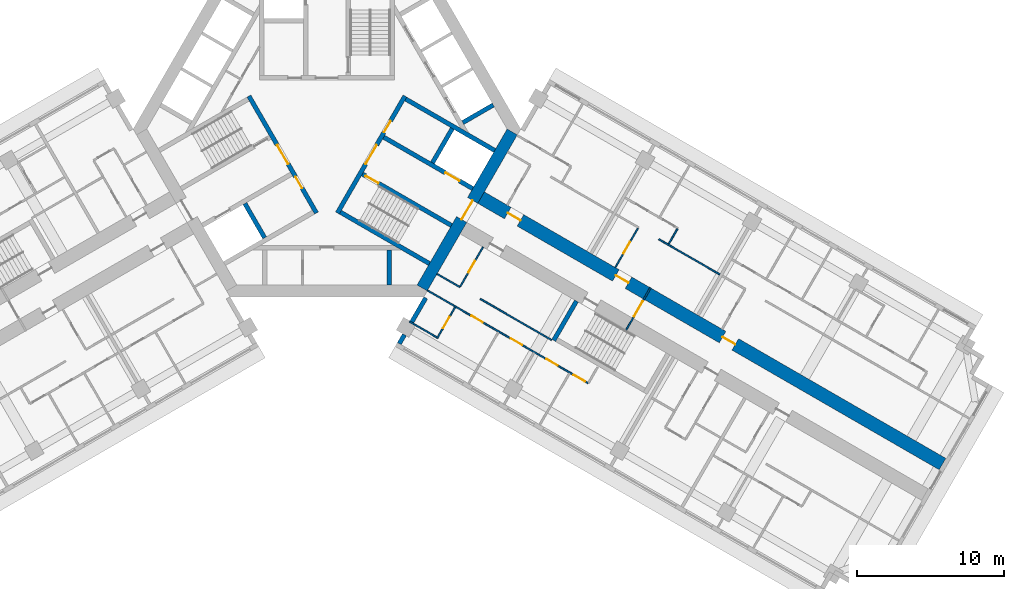
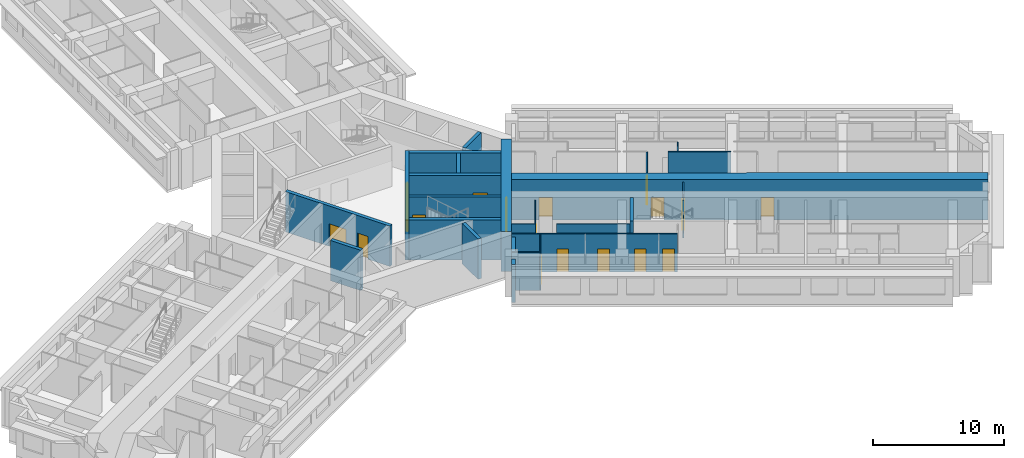
# One storey, part 6 of 13: 25 walls, 18 doors, 18 openings.
"""IFC4 building model written with IfcOpenShell, lengths in metres."""

from ifc_helpers import new_model, si_unit, direction, frame, frame_2d, origin, place, context, subcontext, project, spatial, rectangle, extrude, material, layer, layer_set, type_object, element, fill, save


model = new_model("IFC4")

# Units and contexts
model_context = context("Model", 3, precision=1e-05, world=origin(), true_north=direction((0.0, 1.0)))
body_context = subcontext(model_context, "Body", "Model", "MODEL_VIEW")
ifc_project = project(units=[si_unit("LENGTHUNIT", "METRE"), si_unit("AREAUNIT", "SQUARE_METRE"), si_unit("VOLUMEUNIT", "CUBIC_METRE"), si_unit("PLANEANGLEUNIT", "RADIAN"), si_unit("MASSUNIT", "GRAM", prefix="KILO")], contexts=[model_context])

# Site, building, storey
site_placement = place(None, origin())
site = spatial("IfcSite", under=ifc_project, at=site_placement, CompositionType="ELEMENT")
building_placement = place(site_placement, origin())
building = spatial("IfcBuilding", under=site, at=building_placement, Name="Impinga Residences", CompositionType="ELEMENT")
storey_placement = place(building_placement, frame((0.0, 0.0, 151.0)))
storey = spatial("IfcBuildingStorey", under=building, at=storey_placement, Name="L37", CompositionType="ELEMENT", Elevation=151.0)

# Wall, openings, doors
ifc_material_1 = material(Name="Concrete C60/75", Category="concrete")
ifc_layer_1 = layer(ifc_material_1, 0.89990234375)
ifc_layer_set_1 = layer_set([ifc_layer_1], Name="Concrete C60/75")
wall_type_1 = type_object("IfcWallType", Name="BW2 corridor buttress wall, L24 to L44 900", PredefinedType="SHEAR", material=ifc_layer_set_1)
wall_1_placement = place(storey_placement, frame((10.153564453125, -4.4765625, 0.0), z_axis=(0.0, 0.0, 1.0), x_axis=(0.866027614434, -0.499996171023, 0.0)))
wall_1 = element("IfcWall", 1, at=wall_1_placement, inside=storey, type_object=wall_type_1, Name="Corridor wall BW2 EC L37", PredefinedType="SHEAR", context=body_context, shape_type="SweptSolid", body=[
    extrude(rectangle(XDim=36.699951171875, YDim=0.89990234375, at=frame_2d((18.35009765625, 0.0))), origin(), (0.0, 0.0, 1.0), 3.75),
])
opening_1_placement = place(wall_1_placement, frame((2.5, 0.0, 0.0)))
opening_1 = element("IfcOpeningElement", 2, at=opening_1_placement, cuts=wall_1, Name="Opening D1", PredefinedType="OPENING", context=body_context, shape_type="SweptSolid", body=[
    extrude(rectangle(XDim=1.0, YDim=2.10009765625, at=frame_2d((0.5, 1.050048828125))), frame((0.0, 0.4599609375, 0.0), z_axis=(0.0, -1.0, 0.0), x_axis=(1.0, 0.0, 0.0)), (0.0, 0.0, 1.0), 0.919921875),
])
opening_2_placement = place(wall_1_placement, frame((11.0, 0.0, 0.0)))
opening_2 = element("IfcOpeningElement", 3, at=opening_2_placement, cuts=wall_1, Name="Opening D1", PredefinedType="OPENING", context=body_context, shape_type="SweptSolid", body=[
    extrude(rectangle(XDim=1.0, YDim=2.10009765625, at=frame_2d((0.5, 1.050048828125))), frame((0.0, 0.4599609375, 0.0), z_axis=(0.0, -1.0, 0.0), x_axis=(1.0, 0.0, 0.0)), (0.0, 0.0, 1.0), 0.919921875),
])
opening_3_placement = place(wall_1_placement, frame((19.39990234375, 0.0, 0.0)))
opening_3 = element("IfcOpeningElement", 4, at=opening_3_placement, cuts=wall_1, Name="Opening D1", PredefinedType="OPENING", context=body_context, shape_type="SweptSolid", body=[
    extrude(rectangle(XDim=1.0, YDim=2.10009765625, at=frame_2d((0.5, 1.050048828125))), frame((0.0, 0.4599609375, 0.0), z_axis=(0.0, -1.0, 0.0), x_axis=(1.0, 0.0, 0.0)), (0.0, 0.0, 1.0), 0.919921875),
])
ifc_material_2 = material(Name="Timber door set", Category="wood")
door_type_1 = type_object("IfcDoorType", Name="D1 apartment entrance door 1000x2100", OperationType="SINGLE_SWING_LEFT", PredefinedType="DOOR", material=ifc_material_2)
door_1_placement = place(opening_1_placement, origin())
door_1 = element("IfcDoor", 5, at=door_1_placement, inside=storey, type_object=door_type_1, Name="Apartment L37-EA1 entrance", OperationType="SINGLE_SWING_LEFT", OverallHeight=2.10009765625, OverallWidth=1.0, PredefinedType="DOOR", context=body_context, shape_type="SweptSolid", body=[
    extrude(rectangle(XDim=1.0, YDim=2.10009765625, at=frame_2d((0.5, 1.050048828125))), frame((0.0, 0.02490234375, 0.0), z_axis=(0.0, -1.0, 0.0), x_axis=(1.0, 0.0, 0.0)), (0.0, 0.0, 1.0), 0.050048828125),
])
fill(opening_1, door_1)
door_2_placement = place(opening_2_placement, origin())
door_2 = element("IfcDoor", 6, at=door_2_placement, inside=storey, type_object=door_type_1, Name="Apartment L37-EA2 entrance", OperationType="SINGLE_SWING_LEFT", OverallHeight=2.10009765625, OverallWidth=1.0, PredefinedType="DOOR", context=body_context, shape_type="SweptSolid", body=[
    extrude(rectangle(XDim=1.0, YDim=2.10009765625, at=frame_2d((0.5, 1.050048828125))), frame((0.0, 0.02490234375, 0.0), z_axis=(0.0, -1.0, 0.0), x_axis=(1.0, 0.0, 0.0)), (0.0, 0.0, 1.0), 0.050048828125),
])
fill(opening_2, door_2)
door_3_placement = place(opening_3_placement, origin())
door_3 = element("IfcDoor", 7, at=door_3_placement, inside=storey, type_object=door_type_1, Name="Apartment L37-EA3 entrance", OperationType="SINGLE_SWING_RIGHT", OverallHeight=2.10009765625, OverallWidth=1.0, PredefinedType="DOOR", context=body_context, shape_type="SweptSolid", body=[
    extrude(rectangle(XDim=1.0, YDim=2.10009765625, at=frame_2d((0.5, 1.050048828125))), frame((0.0, 0.02490234375, 0.0), z_axis=(0.0, -1.0, 0.0), x_axis=(1.0, 0.0, 0.0)), (0.0, 0.0, 1.0), 0.050048828125),
])
fill(opening_3, door_3)

# Wall, opening, door
ifc_material_3 = material(Name="Concrete blockwork", Category="masonry")
ifc_layer_2 = layer(ifc_material_3, 0.10009765625)
ifc_layer_set_2 = layer_set([ifc_layer_2], Name="CP1 core room partition, blockwork 100")
wall_type_2 = type_object("IfcWallType", Name="CP1 core room partition, blockwork 100", PredefinedType="PARTITIONING", material=ifc_layer_set_2)
wall_2_placement = place(storey_placement, frame((22.042724609375, -10.821044921875, 0.0), z_axis=(0.0, 0.0, 1.0), x_axis=(-0.50002983664, -0.866008176907, 0.0)))
wall_2 = element("IfcWall", 8, at=wall_2_placement, inside=storey, type_object=wall_type_2, Name="Core room partition, blockwork L37:E:SCR", PredefinedType="PARTITIONING", context=body_context, shape_type="SweptSolid", body=[
    extrude(rectangle(XDim=3.300048828125, YDim=0.10009765625, at=frame_2d((1.64990234375, 0.0))), origin(), (0.0, 0.0, 1.0), 3.530029296875),
])
opening_4_placement = place(wall_2_placement, frame((1.050048828125, 0.0, 0.0)))
opening_4 = element("IfcOpeningElement", 9, at=opening_4_placement, cuts=wall_2, Name="Opening D3", PredefinedType="OPENING", context=body_context, shape_type="SweptSolid", body=[
    extrude(rectangle(XDim=1.199951171875, YDim=2.10009765625, at=frame_2d((0.60009765625, 1.050048828125))), frame((0.0, 0.06005859375, 0.0), z_axis=(0.0, -1.0, 0.0), x_axis=(1.0, 0.0, 0.0)), (0.0, 0.0, 1.0), 0.1201171875),
])
door_type_2 = type_object("IfcDoorType", Name="D3 room door, leaf and a half 1200x2100", OperationType="DOUBLE_SWING_LEFT", PredefinedType="DOOR", material=ifc_material_2)
door_4_placement = place(opening_4_placement, origin())
door_4 = element("IfcDoor", 10, at=door_4_placement, inside=storey, type_object=door_type_2, Name="Corridor smoke door E", OperationType="DOUBLE_SWING_LEFT", OverallHeight=2.10009765625, OverallWidth=1.199951171875, PredefinedType="DOOR", context=body_context, shape_type="SweptSolid", body=[
    extrude(rectangle(XDim=1.199951171875, YDim=2.10009765625, at=frame_2d((0.60009765625, 1.050048828125))), frame((0.0, 0.02490234375, 0.0), z_axis=(0.0, -1.0, 0.0), x_axis=(1.0, 0.0, 0.0)), (0.0, 0.0, 1.0), 0.050048828125),
])
fill(opening_4, door_4)

# Walls
ifc_material_4 = material(Name="Terracotta rainscreen on blockwork", Category="masonry")
ifc_layer_3 = layer(ifc_material_4, 0.300048828125)
ifc_layer_set_3 = layer_set([ifc_layer_3], Name="EW1 external wall, terracotta rainscreen on blockwork 300")
wall_type_3 = type_object("IfcWallType", Name="EW1 external wall, terracotta rainscreen on blockwork 300", PredefinedType="SOLIDWALL", material=ifc_layer_set_3)
wall_3_placement = place(storey_placement, frame((4.929931640625, -14.624267578125, 0.0), z_axis=(0.0, 0.0, 1.0), x_axis=(0.499853302173, 0.866110083249, 0.0)))
element("IfcWall", 11, at=wall_3_placement, inside=storey, type_object=wall_type_3, Name="External wall EW1 L37", PredefinedType="SOLIDWALL", context=body_context, shape_type="SweptSolid", body=[
    extrude(rectangle(XDim=0.699951171875, YDim=0.300048828125, at=frame_2d((0.35009765625, 0.0))), origin(), (0.0, 0.0, 1.0), 3.530029296875),
])
wall_4_placement = place(storey_placement, frame((5.77978515625, -13.152099609375, 0.0), z_axis=(0.0, 0.0, 1.0), x_axis=(0.500063520245, 0.865988727248, 0.0)))
element("IfcWall", 12, at=wall_4_placement, inside=storey, type_object=wall_type_3, Name="External wall EW1 L37", PredefinedType="SOLIDWALL", context=body_context, shape_type="SweptSolid", body=[
    extrude(rectangle(XDim=1.900146484375, YDim=0.300048828125, at=frame_2d((0.9501953125, 0.0))), origin(), (0.0, 0.0, 1.0), 3.530029296875),
])
ifc_material_5 = material(Name="Gypsum board on steel studs", Category="steel")
ifc_layer_4 = layer(ifc_material_5, 0.10009765625)
ifc_layer_set_4 = layer_set([ifc_layer_4], Name="Gypsum board on steel studs")
wall_type_4 = type_object("IfcWallType", Name="IP1 partition 100", PredefinedType="PARTITIONING", material=ifc_layer_set_4)
wall_5_placement = place(storey_placement, frame((22.605712890625, -7.5087890625, 0.0), z_axis=(0.0, 0.0, 1.0), x_axis=(0.866015339567, -0.500017431331, 0.0)))
element("IfcWall", 13, at=wall_5_placement, inside=storey, type_object=wall_type_4, Name="Partition L37-EA2:DIV1", PredefinedType="PARTITIONING", context=body_context, shape_type="SweptSolid", body=[
    extrude(rectangle(XDim=4.800048828125, YDim=0.10009765625, at=frame_2d((2.39990234375, 0.0))), origin(), (0.0, 0.0, 1.0), 3.530029296875),
])
wall_6_placement = place(storey_placement, frame((23.2802734375, -7.840576171875, 0.0), z_axis=(0.0, 0.0, 1.0), x_axis=(0.499880961361, 0.866094119867, 0.0)))
element("IfcWall", 14, at=wall_6_placement, inside=storey, type_object=wall_type_4, Name="Partition L37-EA2:SE1", PredefinedType="PARTITIONING", context=body_context, shape_type="SweptSolid", body=[
    extrude(rectangle(XDim=1.199951171875, YDim=0.10009765625, at=frame_2d((0.60009765625, 0.0))), origin(), (0.0, 0.0, 1.0), 3.530029296875),
])

# Wall, opening, door
wall_7_placement = place(storey_placement, frame((19.64501953125, -9.436767578125, 0.0), z_axis=(0.0, 0.0, 1.0), x_axis=(0.500026960575, 0.86600983753, 0.0)))
wall_7 = element("IfcWall", 15, at=wall_7_placement, inside=storey, type_object=wall_type_4, Name="Partition L37-EA2:IB1", PredefinedType="PARTITIONING", context=body_context, shape_type="SweptSolid", body=[
    extrude(rectangle(XDim=3.099853515625, YDim=0.10009765625, at=frame_2d((1.5498046875, 0.0))), origin(), (0.0, 0.0, 1.0), 3.530029296875),
])
opening_5_placement = place(wall_7_placement, frame((1.10009765625, 0.0, 0.0)))
opening_5 = element("IfcOpeningElement", 16, at=opening_5_placement, cuts=wall_7, Name="Opening D2", PredefinedType="OPENING", context=body_context, shape_type="SweptSolid", body=[
    extrude(rectangle(XDim=0.89990234375, YDim=2.10009765625, at=frame_2d((0.449951171875, 1.050048828125))), frame((0.0, 0.06005859375, 0.0), z_axis=(0.0, -1.0, 0.0), x_axis=(1.0, 0.0, 0.0)), (0.0, 0.0, 1.0), 0.1201171875),
])
door_type_3 = type_object("IfcDoorType", Name="D2 internal door 900x2100", OperationType="SINGLE_SWING_LEFT", PredefinedType="DOOR", material=ifc_material_2)
door_5_placement = place(opening_5_placement, origin())
door_5 = element("IfcDoor", 17, at=door_5_placement, inside=storey, type_object=door_type_3, Name="Apartment L37-EA2 bathroom door", OperationType="SINGLE_SWING_LEFT", OverallHeight=2.10009765625, OverallWidth=0.89990234375, PredefinedType="DOOR", context=body_context, shape_type="SweptSolid", body=[
    extrude(rectangle(XDim=0.89990234375, YDim=2.10009765625, at=frame_2d((0.449951171875, 1.050048828125))), frame((0.0, 0.02490234375, 0.0), z_axis=(0.0, -1.0, 0.0), x_axis=(1.0, 0.0, 0.0)), (0.0, 0.0, 1.0), 0.050048828125),
])
fill(opening_5, door_5)

# Walls
wall_8_placement = place(storey_placement, frame((7.5, -9.872802734375, 0.0), z_axis=(0.0, 0.0, 1.0), x_axis=(0.866047807691, -0.499961193289, 0.0)))
element("IfcWall", 18, at=wall_8_placement, inside=storey, type_object=wall_type_4, Name="Partition L37-EF1:DIV0", PredefinedType="PARTITIONING", context=body_context, shape_type="SweptSolid", body=[
    extrude(rectangle(XDim=1.800048828125, YDim=0.10009765625, at=frame_2d((0.89990234375, 0.0))), origin(), (0.0, 0.0, 1.0), 3.530029296875),
])
wall_9_placement = place(storey_placement, frame((10.444580078125, -11.57275390625, 0.0), z_axis=(0.0, 0.0, 1.0), x_axis=(0.866015695474, -0.500016814911, 0.0)))
element("IfcWall", 19, at=wall_9_placement, inside=storey, type_object=wall_type_4, Name="Partition L37-EF1:DIV1", PredefinedType="PARTITIONING", context=body_context, shape_type="SweptSolid", body=[
    extrude(rectangle(XDim=5.599853515625, YDim=0.10009765625, at=frame_2d((2.7998046875, 0.0))), origin(), (0.0, 0.0, 1.0), 3.530029296875),
])

# Wall, openings, doors
wall_10_placement = place(storey_placement, frame((6.85009765625, -10.99853515625, 0.0), z_axis=(0.0, 0.0, 1.0), x_axis=(0.866024244478, -0.500002007972, 0.0)))
wall_10 = element("IfcWall", 20, at=wall_10_placement, inside=storey, type_object=wall_type_4, Name="Partition L37-EF1:STRIP", PredefinedType="PARTITIONING", context=body_context, shape_type="SweptSolid", body=[
    extrude(rectangle(XDim=12.64990234375, YDim=0.10009765625, at=frame_2d((6.324951171875, 0.0))), origin(), (0.0, 0.0, 1.0), 3.530029296875),
])
opening_6_placement = place(wall_10_placement, frame((3.449951171875, 0.0, 0.0)))
opening_6 = element("IfcOpeningElement", 21, at=opening_6_placement, cuts=wall_10, Name="Opening D2", PredefinedType="OPENING", context=body_context, shape_type="SweptSolid", body=[
    extrude(rectangle(XDim=0.89990234375, YDim=2.10009765625, at=frame_2d((0.449951171875, 1.050048828125))), frame((0.0, 0.06005859375, 0.0), z_axis=(0.0, -1.0, 0.0), x_axis=(1.0, 0.0, 0.0)), (0.0, 0.0, 1.0), 0.1201171875),
])
opening_7_placement = place(wall_10_placement, frame((6.550048828125, 0.0, 0.0)))
opening_7 = element("IfcOpeningElement", 22, at=opening_7_placement, cuts=wall_10, Name="Opening D2", PredefinedType="OPENING", context=body_context, shape_type="SweptSolid", body=[
    extrude(rectangle(XDim=0.89990234375, YDim=2.10009765625, at=frame_2d((0.449951171875, 1.050048828125))), frame((0.0, 0.06005859375, 0.0), z_axis=(0.0, -1.0, 0.0), x_axis=(1.0, 0.0, 0.0)), (0.0, 0.0, 1.0), 0.1201171875),
])
opening_8_placement = place(wall_10_placement, frame((9.35009765625, 0.0, 0.0)))
opening_8 = element("IfcOpeningElement", 23, at=opening_8_placement, cuts=wall_10, Name="Opening D2", PredefinedType="OPENING", context=body_context, shape_type="SweptSolid", body=[
    extrude(rectangle(XDim=0.89990234375, YDim=2.10009765625, at=frame_2d((0.449951171875, 1.050048828125))), frame((0.0, 0.06005859375, 0.0), z_axis=(0.0, -1.0, 0.0), x_axis=(1.0, 0.0, 0.0)), (0.0, 0.0, 1.0), 0.1201171875),
])
opening_9_placement = place(wall_10_placement, frame((11.5, 0.0, 0.0)))
opening_9 = element("IfcOpeningElement", 24, at=opening_9_placement, cuts=wall_10, Name="Opening D2", PredefinedType="OPENING", context=body_context, shape_type="SweptSolid", body=[
    extrude(rectangle(XDim=0.89990234375, YDim=2.10009765625, at=frame_2d((0.449951171875, 1.050048828125))), frame((0.0, 0.06005859375, 0.0), z_axis=(0.0, -1.0, 0.0), x_axis=(1.0, 0.0, 0.0)), (0.0, 0.0, 1.0), 0.1201171875),
])
door_6_placement = place(opening_6_placement, origin())
door_6 = element("IfcDoor", 25, at=door_6_placement, inside=storey, type_object=door_type_3, Name="Apartment L37-EF1 room door", OperationType="SINGLE_SWING_LEFT", OverallHeight=2.10009765625, OverallWidth=0.89990234375, PredefinedType="DOOR", context=body_context, shape_type="SweptSolid", body=[
    extrude(rectangle(XDim=0.89990234375, YDim=2.10009765625, at=frame_2d((0.449951171875, 1.050048828125))), frame((0.0, 0.02490234375, 0.0), z_axis=(0.0, -1.0, 0.0), x_axis=(1.0, 0.0, 0.0)), (0.0, 0.0, 1.0), 0.050048828125),
])
fill(opening_6, door_6)
door_7_placement = place(opening_7_placement, origin())
door_7 = element("IfcDoor", 26, at=door_7_placement, inside=storey, type_object=door_type_3, Name="Apartment L37-EF1 room door", OperationType="SINGLE_SWING_RIGHT", OverallHeight=2.10009765625, OverallWidth=0.89990234375, PredefinedType="DOOR", context=body_context, shape_type="SweptSolid", body=[
    extrude(rectangle(XDim=0.89990234375, YDim=2.10009765625, at=frame_2d((0.449951171875, 1.050048828125))), frame((0.0, 0.02490234375, 0.0), z_axis=(0.0, -1.0, 0.0), x_axis=(1.0, 0.0, 0.0)), (0.0, 0.0, 1.0), 0.050048828125),
])
fill(opening_7, door_7)
door_8_placement = place(opening_8_placement, origin())
door_8 = element("IfcDoor", 27, at=door_8_placement, inside=storey, type_object=door_type_3, Name="Apartment L37-EF1 room door", OperationType="SINGLE_SWING_RIGHT", OverallHeight=2.10009765625, OverallWidth=0.89990234375, PredefinedType="DOOR", context=body_context, shape_type="SweptSolid", body=[
    extrude(rectangle(XDim=0.89990234375, YDim=2.10009765625, at=frame_2d((0.449951171875, 1.050048828125))), frame((0.0, 0.02490234375, 0.0), z_axis=(0.0, -1.0, 0.0), x_axis=(1.0, 0.0, 0.0)), (0.0, 0.0, 1.0), 0.050048828125),
])
fill(opening_8, door_8)
door_9_placement = place(opening_9_placement, origin())
door_9 = element("IfcDoor", 28, at=door_9_placement, inside=storey, type_object=door_type_3, Name="Apartment L37-EF1 room door", OperationType="SINGLE_SWING_RIGHT", OverallHeight=2.10009765625, OverallWidth=0.89990234375, PredefinedType="DOOR", context=body_context, shape_type="SweptSolid", body=[
    extrude(rectangle(XDim=0.89990234375, YDim=2.10009765625, at=frame_2d((0.449951171875, 1.050048828125))), frame((0.0, 0.02490234375, 0.0), z_axis=(0.0, -1.0, 0.0), x_axis=(1.0, 0.0, 0.0)), (0.0, 0.0, 1.0), 0.050048828125),
])
fill(opening_9, door_9)

# Wall, opening, door
wall_11_placement = place(storey_placement, frame((10.6337890625, -8.044677734375, 0.0), z_axis=(0.0, 0.0, 1.0), x_axis=(-0.49999285859, -0.86602952684, 0.0)))
wall_11 = element("IfcWall", 29, at=wall_11_placement, inside=storey, type_object=wall_type_4, Name="Partition L37-EF1:IB1", PredefinedType="PARTITIONING", context=body_context, shape_type="SweptSolid", body=[
    extrude(rectangle(XDim=3.10009765625, YDim=0.10009765625, at=frame_2d((1.550048828125, 0.0))), origin(), (0.0, 0.0, 1.0), 3.530029296875),
])
opening_10_placement = place(wall_11_placement, frame((1.10009765625, 0.0, 0.0)))
opening_10 = element("IfcOpeningElement", 30, at=opening_10_placement, cuts=wall_11, Name="Opening D2", PredefinedType="OPENING", context=body_context, shape_type="SweptSolid", body=[
    extrude(rectangle(XDim=0.89990234375, YDim=2.10009765625, at=frame_2d((0.449951171875, 1.050048828125))), frame((0.0, 0.06005859375, 0.0), z_axis=(0.0, -1.0, 0.0), x_axis=(1.0, 0.0, 0.0)), (0.0, 0.0, 1.0), 0.1201171875),
])
door_10_placement = place(opening_10_placement, origin())
door_10 = element("IfcDoor", 31, at=door_10_placement, inside=storey, type_object=door_type_3, Name="Apartment L37-EF1 bathroom door", OperationType="SINGLE_SWING_LEFT", OverallHeight=2.10009765625, OverallWidth=0.89990234375, PredefinedType="DOOR", context=body_context, shape_type="SweptSolid", body=[
    extrude(rectangle(XDim=0.89990234375, YDim=2.10009765625, at=frame_2d((0.449951171875, 1.050048828125))), frame((0.0, 0.02490234375, 0.0), z_axis=(0.0, -1.0, 0.0), x_axis=(1.0, 0.0, 0.0)), (0.0, 0.0, 1.0), 0.050048828125),
])
fill(opening_10, door_10)

wall_12_placement = place(storey_placement, frame((8.730224609375, -12.141845703125, 0.0), z_axis=(0.0, 0.0, 1.0), x_axis=(-0.499943856944, -0.866057815567, 0.0)))
wall_12 = element("IfcWall", 32, at=wall_12_placement, inside=storey, type_object=wall_type_4, Name="Partition L37-EF1:EN1", PredefinedType="PARTITIONING", context=body_context, shape_type="SweptSolid", body=[
    extrude(rectangle(XDim=2.449951171875, YDim=0.10009765625, at=frame_2d((1.22509765625, 0.0))), origin(), (0.0, 0.0, 1.0), 3.530029296875),
])
opening_11_placement = place(wall_12_placement, frame((0.75, 0.0, 0.0)))
opening_11 = element("IfcOpeningElement", 33, at=opening_11_placement, cuts=wall_12, Name="Opening D2", PredefinedType="OPENING", context=body_context, shape_type="SweptSolid", body=[
    extrude(rectangle(XDim=0.89990234375, YDim=2.10009765625, at=frame_2d((0.449951171875, 1.050048828125))), frame((0.0, 0.06005859375, 0.0), z_axis=(0.0, -1.0, 0.0), x_axis=(1.0, 0.0, 0.0)), (0.0, 0.0, 1.0), 0.1201171875),
])
door_11_placement = place(opening_11_placement, origin())
door_11 = element("IfcDoor", 34, at=door_11_placement, inside=storey, type_object=door_type_3, Name="Apartment L37-EF1 en-suite door", OperationType="SINGLE_SWING_LEFT", OverallHeight=2.10009765625, OverallWidth=0.89990234375, PredefinedType="DOOR", context=body_context, shape_type="SweptSolid", body=[
    extrude(rectangle(XDim=0.89990234375, YDim=2.10009765625, at=frame_2d((0.449951171875, 1.050048828125))), frame((0.0, 0.02490234375, 0.0), z_axis=(0.0, -1.0, 0.0), x_axis=(1.0, 0.0, 0.0)), (0.0, 0.0, 1.0), 0.050048828125),
])
fill(opening_11, door_11)

# Walls
wall_13_placement = place(storey_placement, frame((5.625, -13.120361328125, 0.0), z_axis=(0.0, 0.0, 1.0), x_axis=(0.866047553582, -0.499961633463, 0.0)))
element("IfcWall", 35, at=wall_13_placement, inside=storey, type_object=wall_type_4, Name="Partition L37-EF1:EN2", PredefinedType="PARTITIONING", context=body_context, shape_type="SweptSolid", body=[
    extrude(rectangle(XDim=2.150146484375, YDim=0.10009765625, at=frame_2d((1.0751953125, 0.0))), origin(), (0.0, 0.0, 1.0), 3.530029296875),
])
ifc_layer_5 = layer(ifc_material_1, 0.300048828125)
ifc_layer_set_5 = layer_set([ifc_layer_5], Name="Concrete C60/75")
wall_type_5 = type_object("IfcWallType", Name="SE1 wing stair enclosure wall 300", PredefinedType="SOLIDWALL", material=ifc_layer_set_5)
wall_14_placement = place(storey_placement, frame((16.9990234375, -11.7197265625, 0.0), z_axis=(0.0, 0.0, 1.0), x_axis=(-0.499967891604, -0.866043940782, 0.0)))
element("IfcWall", 36, at=wall_14_placement, inside=storey, type_object=wall_type_5, Name="Stair enclosure wall SE1 E END0 L37", PredefinedType="SOLIDWALL", context=body_context, shape_type="SweptSolid", body=[
    extrude(rectangle(XDim=3.099853515625, YDim=0.300048828125, at=frame_2d((1.5498046875, 0.0))), origin(), (0.0, 0.0, 1.0), 3.75),
])

# Wall, opening, door
ifc_layer_6 = layer(ifc_material_1, 0.800048828125)
ifc_layer_set_6 = layer_set([ifc_layer_6], Name="Concrete C60/75")
wall_type_6 = type_object("IfcWallType", Name="SW2 core wall 800", PredefinedType="SHEAR", material=ifc_layer_set_6)
wall_15_placement = place(storey_placement, frame((12.62255859375, -0.199951171875, 0.0), z_axis=(0.0, 0.0, 1.0), x_axis=(-0.499986991068, -0.866032914365, 0.0)))
wall_15 = element("IfcWall", 37, at=wall_15_placement, inside=storey, type_object=wall_type_6, Name="Core wall SW2 E:FACE L37", PredefinedType="SHEAR", context=body_context, shape_type="SweptSolid", body=[
    extrude(rectangle(XDim=12.276123046875, YDim=0.800048828125, at=frame_2d((6.13818359375, 0.0))), origin(), (0.0, 0.0, 1.0), 3.75),
])
opening_12_placement = place(wall_15_placement, frame((5.38818359375, 0.0, 0.0)))
opening_12 = element("IfcOpeningElement", 38, at=opening_12_placement, cuts=wall_15, Name="Opening D4", PredefinedType="OPENING", context=body_context, shape_type="SweptSolid", body=[
    extrude(rectangle(XDim=1.5, YDim=2.10009765625, at=frame_2d((0.75, 1.050048828125))), frame((0.0, 0.409912109375, 0.0), z_axis=(0.0, -1.0, 0.0), x_axis=(1.0, 0.0, 0.0)), (0.0, 0.0, 1.0), 0.820068359375),
])
door_type_4 = type_object("IfcDoorType", Name="D4 lobby door pair 1500x2100", OperationType="DOUBLE_DOOR_DOUBLE_SWING", PredefinedType="DOOR", material=ifc_material_2)
door_12_placement = place(opening_12_placement, origin())
door_12 = element("IfcDoor", 39, at=door_12_placement, inside=storey, type_object=door_type_4, Name="Lobby door E", OperationType="DOUBLE_DOOR_DOUBLE_SWING", OverallHeight=2.10009765625, OverallWidth=1.5, PredefinedType="DOOR", context=body_context, shape_type="SweptSolid", body=[
    extrude(rectangle(XDim=1.5, YDim=2.10009765625, at=frame_2d((0.75, 1.050048828125))), frame((0.0, 0.02490234375, 0.0), z_axis=(0.0, -1.0, 0.0), x_axis=(1.0, 0.0, 0.0)), (0.0, 0.0, 1.0), 0.050048828125),
])
fill(opening_12, door_12)

# Wall, openings, doors
ifc_material_6 = material(Name="Concrete C70/85", Category="concrete")
ifc_layer_7 = layer(ifc_material_6, 0.300048828125)
ifc_layer_set_7 = layer_set([ifc_layer_7], Name="Concrete C70/85")
wall_type_7 = type_object("IfcWallType", Name="SW5 core inner wall, stairs, shafts and lobbies 300", PredefinedType="SHEAR", material=ifc_layer_set_7)
wall_16_placement = place(storey_placement, frame((-0.7138671875, -5.7236328125, 0.0), z_axis=(0.0, 0.0, 1.0), x_axis=(-0.499995050369, 0.866028261437, 0.0)))
wall_16 = element("IfcWall", 40, at=wall_16_placement, inside=storey, type_object=wall_type_7, Name="Core wall SW5 W:ZONE L37", PredefinedType="SHEAR", context=body_context, shape_type="SweptSolid", body=[
    extrude(rectangle(XDim=9.19970703125, YDim=0.300048828125, at=frame_2d((4.599853515625, 0.0))), origin(), (0.0, 0.0, 1.0), 3.75),
])
opening_13_placement = place(wall_16_placement, frame((3.85009765625, 0.0, 0.0)))
opening_13 = element("IfcOpeningElement", 41, at=opening_13_placement, cuts=wall_16, Name="Opening D4", PredefinedType="OPENING", context=body_context, shape_type="SweptSolid", body=[
    extrude(rectangle(XDim=1.5, YDim=2.10009765625, at=frame_2d((0.75, 1.050048828125))), frame((0.0, 0.159912109375, 0.0), z_axis=(0.0, -1.0, 0.0), x_axis=(1.0, 0.0, 0.0)), (0.0, 0.0, 1.0), 0.320068359375),
])
opening_14_placement = place(wall_16_placement, frame((1.949951171875, 0.0, 0.0)))
opening_14 = element("IfcOpeningElement", 42, at=opening_14_placement, cuts=wall_16, Name="Opening D6", PredefinedType="OPENING", context=body_context, shape_type="SweptSolid", body=[
    extrude(rectangle(XDim=0.89990234375, YDim=2.10009765625, at=frame_2d((0.449951171875, 1.050048828125))), frame((0.0, 0.159912109375, 0.0), z_axis=(0.0, -1.0, 0.0), x_axis=(1.0, 0.0, 0.0)), (0.0, 0.0, 1.0), 0.320068359375),
])
door_13_placement = place(opening_13_placement, origin())
door_13 = element("IfcDoor", 43, at=door_13_placement, inside=storey, type_object=door_type_4, Name="Firefighting lobby door W", OperationType="DOUBLE_DOOR_DOUBLE_SWING", OverallHeight=2.10009765625, OverallWidth=1.5, PredefinedType="DOOR", context=body_context, shape_type="SweptSolid", body=[
    extrude(rectangle(XDim=1.5, YDim=2.10009765625, at=frame_2d((0.75, 1.050048828125))), frame((0.0, 0.02490234375, 0.0), z_axis=(0.0, -1.0, 0.0), x_axis=(1.0, 0.0, 0.0)), (0.0, 0.0, 1.0), 0.050048828125),
])
fill(opening_13, door_13)
door_type_5 = type_object("IfcDoorType", Name="D6 riser and store door 900x2100", OperationType="SINGLE_SWING_LEFT", PredefinedType="DOOR", material=ifc_material_2)
door_14_placement = place(opening_14_placement, origin())
door_14 = element("IfcDoor", 44, at=door_14_placement, inside=storey, type_object=door_type_5, Name="Riser door W", OperationType="SINGLE_SWING_LEFT", OverallHeight=2.10009765625, OverallWidth=0.89990234375, PredefinedType="DOOR", context=body_context, shape_type="SweptSolid", body=[
    extrude(rectangle(XDim=0.89990234375, YDim=2.10009765625, at=frame_2d((0.449951171875, 1.050048828125))), frame((0.0, 0.02490234375, 0.0), z_axis=(0.0, -1.0, 0.0), x_axis=(1.0, 0.0, 0.0)), (0.0, 0.0, 1.0), 0.050048828125),
])
fill(opening_14, door_14)

# Wall
wall_17_placement = place(storey_placement, frame((-4.2412109375, -7.413818359375, 0.0), z_axis=(0.0, 0.0, 1.0), x_axis=(-0.500048589285, 0.86599734893, 0.0)))
element("IfcWall", 45, at=wall_17_placement, inside=storey, type_object=wall_type_7, Name="Core wall SW5 W:FF-RS L37", PredefinedType="SHEAR", context=body_context, shape_type="SweptSolid", body=[
    extrude(rectangle(XDim=2.699951171875, YDim=0.300048828125, at=frame_2d((1.35009765625, 0.0))), origin(), (0.0, 0.0, 1.0), 3.75),
])

# Wall, openings, doors
wall_18_placement = place(storey_placement, frame((5.313720703125, 2.24365234375, 0.0), z_axis=(0.0, 0.0, 1.0), x_axis=(-0.499995050369, -0.866028261437, 0.0)))
wall_18 = element("IfcWall", 46, at=wall_18_placement, inside=storey, type_object=wall_type_7, Name="Core wall SW5 E:ZONE L37", PredefinedType="SHEAR", context=body_context, shape_type="SweptSolid", body=[
    extrude(rectangle(XDim=9.19970703125, YDim=0.300048828125, at=frame_2d((4.599853515625, 0.0))), origin(), (0.0, 0.0, 1.0), 3.75),
])
opening_15_placement = place(wall_18_placement, frame((3.85009765625, 0.0, 0.0)))
opening_15 = element("IfcOpeningElement", 47, at=opening_15_placement, cuts=wall_18, Name="Opening D4", PredefinedType="OPENING", context=body_context, shape_type="SweptSolid", body=[
    extrude(rectangle(XDim=1.5, YDim=2.10009765625, at=frame_2d((0.75, 1.050048828125))), frame((0.0, 0.159912109375, 0.0), z_axis=(0.0, -1.0, 0.0), x_axis=(1.0, 0.0, 0.0)), (0.0, 0.0, 1.0), 0.320068359375),
])
opening_16_placement = place(wall_18_placement, frame((1.949951171875, 0.0, 0.0)))
opening_16 = element("IfcOpeningElement", 48, at=opening_16_placement, cuts=wall_18, Name="Opening D6", PredefinedType="OPENING", context=body_context, shape_type="SweptSolid", body=[
    extrude(rectangle(XDim=0.89990234375, YDim=2.10009765625, at=frame_2d((0.449951171875, 1.050048828125))), frame((0.0, 0.159912109375, 0.0), z_axis=(0.0, -1.0, 0.0), x_axis=(1.0, 0.0, 0.0)), (0.0, 0.0, 1.0), 0.320068359375),
])
door_15_placement = place(opening_15_placement, origin())
door_15 = element("IfcDoor", 49, at=door_15_placement, inside=storey, type_object=door_type_4, Name="Firefighting lobby door E", OperationType="DOUBLE_DOOR_DOUBLE_SWING", OverallHeight=2.10009765625, OverallWidth=1.5, PredefinedType="DOOR", context=body_context, shape_type="SweptSolid", body=[
    extrude(rectangle(XDim=1.5, YDim=2.10009765625, at=frame_2d((0.75, 1.050048828125))), frame((0.0, 0.02490234375, 0.0), z_axis=(0.0, -1.0, 0.0), x_axis=(1.0, 0.0, 0.0)), (0.0, 0.0, 1.0), 0.050048828125),
])
fill(opening_15, door_15)
door_16_placement = place(opening_16_placement, origin())
door_16 = element("IfcDoor", 50, at=door_16_placement, inside=storey, type_object=door_type_5, Name="Riser door E", OperationType="SINGLE_SWING_LEFT", OverallHeight=2.10009765625, OverallWidth=0.89990234375, PredefinedType="DOOR", context=body_context, shape_type="SweptSolid", body=[
    extrude(rectangle(XDim=0.89990234375, YDim=2.10009765625, at=frame_2d((0.449951171875, 1.050048828125))), frame((0.0, 0.02490234375, 0.0), z_axis=(0.0, -1.0, 0.0), x_axis=(1.0, 0.0, 0.0)), (0.0, 0.0, 1.0), 0.050048828125),
])
fill(opening_16, door_16)

# Wall, opening, door
wall_19_placement = place(storey_placement, frame((2.418701171875, -3.07080078125, 0.0), z_axis=(0.0, 0.0, 1.0), x_axis=(0.866026480128, -0.499998135713, 0.0)))
wall_19 = element("IfcWall", 51, at=wall_19_placement, inside=storey, type_object=wall_type_7, Name="Core wall SW5 E:ST-IN L37", PredefinedType="SHEAR", context=body_context, shape_type="SweptSolid", body=[
    extrude(rectangle(XDim=7.00146484375, YDim=0.300048828125, at=frame_2d((3.500732421875, 0.0))), origin(), (0.0, 0.0, 1.0), 3.75),
])
opening_17_placement = place(wall_19_placement, frame((0.25, 0.0, 0.0)))
opening_17 = element("IfcOpeningElement", 52, at=opening_17_placement, cuts=wall_19, Name="Opening D5", PredefinedType="OPENING", context=body_context, shape_type="SweptSolid", body=[
    extrude(rectangle(XDim=1.0, YDim=2.10009765625, at=frame_2d((0.5, 1.050048828125))), frame((0.0, 0.159912109375, 0.0), z_axis=(0.0, -1.0, 0.0), x_axis=(1.0, 0.0, 0.0)), (0.0, 0.0, 1.0), 0.320068359375),
])
door_type_6 = type_object("IfcDoorType", Name="D5 stair door 1000x2100", OperationType="SINGLE_SWING_LEFT", PredefinedType="DOOR", material=ifc_material_2)
door_17_placement = place(opening_17_placement, origin())
door_17 = element("IfcDoor", 53, at=door_17_placement, inside=storey, type_object=door_type_6, Name="Stair door E", OperationType="SINGLE_SWING_LEFT", OverallHeight=2.10009765625, OverallWidth=1.0, PredefinedType="DOOR", context=body_context, shape_type="SweptSolid", body=[
    extrude(rectangle(XDim=1.0, YDim=2.10009765625, at=frame_2d((0.5, 1.050048828125))), frame((0.0, 0.02490234375, 0.0), z_axis=(0.0, -1.0, 0.0), x_axis=(1.0, 0.0, 0.0)), (0.0, 0.0, 1.0), 0.050048828125),
])
fill(opening_17, door_17)

# Wall
wall_20_placement = place(storey_placement, frame((0.918701171875, -5.668701171875, 0.0), z_axis=(0.0, 0.0, 1.0), x_axis=(0.866011380966, -0.500024287448, 0.0)))
element("IfcWall", 54, at=wall_20_placement, inside=storey, type_object=wall_type_7, Name="Core wall SW5 E:ST-OUT L37", PredefinedType="SHEAR", context=body_context, shape_type="SweptSolid", body=[
    extrude(rectangle(XDim=7.001708984375, YDim=0.300048828125, at=frame_2d((3.5009765625, 0.0))), origin(), (0.0, 0.0, 1.0), 3.75),
])

# Wall, opening, door
wall_21_placement = place(storey_placement, frame((3.86865234375, -0.559326171875, 0.0), z_axis=(0.0, 0.0, 1.0), x_axis=(0.866026480128, -0.499998135713, 0.0)))
wall_21 = element("IfcWall", 55, at=wall_21_placement, inside=storey, type_object=wall_type_7, Name="Core wall SW5 E:FF-IN L37", PredefinedType="SHEAR", context=body_context, shape_type="SweptSolid", body=[
    extrude(rectangle(XDim=7.00146484375, YDim=0.300048828125, at=frame_2d((3.500732421875, 0.0))), origin(), (0.0, 0.0, 1.0), 3.75),
])
opening_18_placement = place(wall_21_placement, frame((4.85009765625, 0.0, 0.0)))
opening_18 = element("IfcOpeningElement", 56, at=opening_18_placement, cuts=wall_21, Name="Opening LD2", PredefinedType="OPENING", context=body_context, shape_type="SweptSolid", body=[
    extrude(rectangle(XDim=1.10009765625, YDim=2.10009765625, at=frame_2d((0.550048828125, 1.050048828125))), frame((0.0, 0.159912109375, 0.0), z_axis=(0.0, -1.0, 0.0), x_axis=(1.0, 0.0, 0.0)), (0.0, 0.0, 1.0), 0.320068359375),
])
ifc_material_7 = material(Name="Steel lift landing door", Category="steel")
door_type_7 = type_object("IfcDoorType", Name="LD2 firefighting lift landing door 1100x2100", OperationType="DOUBLE_DOOR_SLIDING", PredefinedType="DOOR", material=ifc_material_7)
door_18_placement = place(opening_18_placement, origin())
door_18 = element("IfcDoor", 57, at=door_18_placement, inside=storey, type_object=door_type_7, Name="Firefighting lift landing door F3", OperationType="DOUBLE_DOOR_SLIDING", OverallHeight=2.10009765625, OverallWidth=1.10009765625, PredefinedType="DOOR", context=body_context, shape_type="SweptSolid", body=[
    extrude(rectangle(XDim=1.10009765625, YDim=2.10009765625, at=frame_2d((0.550048828125, 1.050048828125))), frame((0.0, 0.02490234375, 0.0), z_axis=(0.0, -1.0, 0.0), x_axis=(1.0, 0.0, 0.0)), (0.0, 0.0, 1.0), 0.050048828125),
])
fill(opening_18, door_18)

# Walls
wall_22_placement = place(storey_placement, frame((5.36865234375, 2.038818359375, 0.0), z_axis=(0.0, 0.0, 1.0), x_axis=(0.866026480128, -0.499998135713, 0.0)))
element("IfcWall", 58, at=wall_22_placement, inside=storey, type_object=wall_type_7, Name="Core wall SW5 E:FF-OUT L37", PredefinedType="SHEAR", context=body_context, shape_type="SweptSolid", body=[
    extrude(rectangle(XDim=7.00146484375, YDim=0.300048828125, at=frame_2d((3.500732421875, 0.0))), origin(), (0.0, 0.0, 1.0), 3.75),
])
wall_23_placement = place(storey_placement, frame((8.541259765625, 0.033935546875, 0.0), z_axis=(0.0, 0.0, 1.0), x_axis=(-0.50000943426, -0.866019956843, 0.0)))
element("IfcWall", 59, at=wall_23_placement, inside=storey, type_object=wall_type_7, Name="Core wall SW5 E:FF-RS L37", PredefinedType="SHEAR", context=body_context, shape_type="SweptSolid", body=[
    extrude(rectangle(XDim=2.7001953125, YDim=0.300048828125, at=frame_2d((1.35009765625, 0.0))), origin(), (0.0, 0.0, 1.0), 3.75),
])
for number, where, z_axis, x_axis, name in (
    (60, (4.25, -8.2314453125, 0.0), (0.0, 0.0, 1.0), (0.0, -1.0, 0.0), "Core wall SW5 N:BANK-L L37"),
    (61, (9.253662109375, 0.43505859375, 0.0), (0.0, 0.0, 1.0), (0.866006032174, 0.500033551112, 0.0), "Core wall SW5 W:BANK-R L37"),
):
    element("IfcWall", number, at=place(storey_placement, frame(where, z_axis=z_axis, x_axis=x_axis)), inside=storey, type_object=wall_type_7, Name=name, PredefinedType="SHEAR", context=body_context, shape_type="SweptSolid", body=[
        extrude(rectangle(XDim=2.400146484375, YDim=0.300048828125, at=frame_2d((1.2001953125, 0.0))), origin(), (0.0, 0.0, 1.0), 3.75),
    ])

save(model, "model.ifc")
